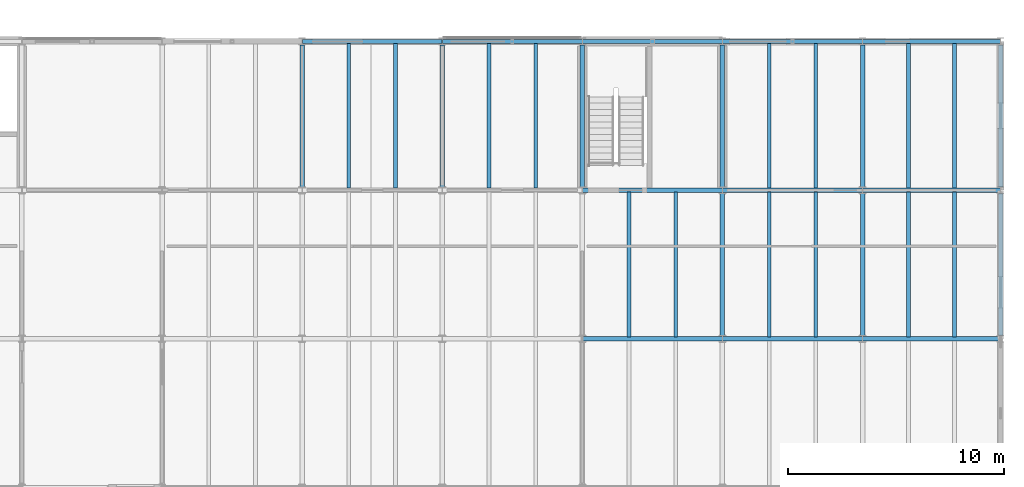
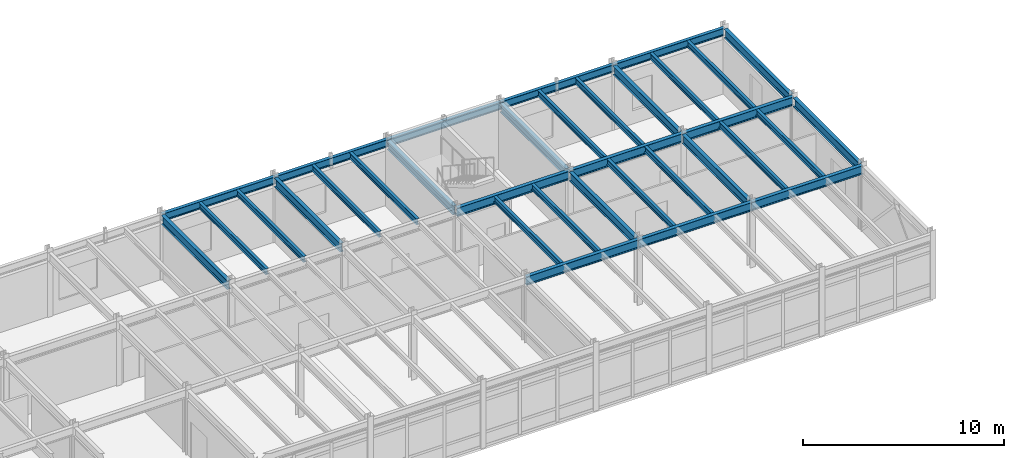
# One storey, part 86 of 144: 34 beams.
"""IFC4 building model written with IfcOpenShell, lengths in metres."""

from ifc_helpers import new_model, si_unit, direction, frame, origin, origin_2d, place, context, subcontext, project, spatial, i_section, extrude, material, material_profile, profile_set, type_object, element, save


model = new_model("IFC4")

# Units and contexts
model_context = context("Model", 3, precision=1e-05, world=origin(), true_north=direction((0.0, 1.0)))
body_context = subcontext(model_context, "Body", "Model", "MODEL_VIEW")
ifc_project = project(units=[si_unit("LENGTHUNIT", "METRE"), si_unit("AREAUNIT", "SQUARE_METRE"), si_unit("VOLUMEUNIT", "CUBIC_METRE"), si_unit("PLANEANGLEUNIT", "RADIAN"), si_unit("MASSUNIT", "GRAM", prefix="KILO")], contexts=[model_context])

# Site, building, storey
site_placement = place(None, origin())
site = spatial("IfcSite", under=ifc_project, at=site_placement, CompositionType="ELEMENT")
building_placement = place(site_placement, origin())
building = spatial("IfcBuilding", under=site, at=building_placement, Name="Trelmorton Wharf Fire Station", CompositionType="ELEMENT")
storey_placement = place(building_placement, frame((0.0, 0.0, 5.39990234375)))
storey = spatial("IfcBuildingStorey", under=building, at=storey_placement, Name="L01", CompositionType="ELEMENT", Elevation=5.39990234375)

# Beams
ifc_material = material(Name="Steel Grade 350", Category="steel")
ifc_material_profile_1 = material_profile(ifc_material, i_section(OverallWidth=0.208984375, OverallDepth=0.528076171875, WebThickness=0.009521484375, FlangeThickness=0.01318359375, FilletRadius=0.013916015625, at=origin_2d()), Name="530UB82.0")
ifc_profile_set_1 = profile_set([ifc_material_profile_1], Name="Steel Grade 350")
beam_type_1 = type_object("IfcBeamType", Name="BM_530UB82", PredefinedType="BEAM", material=ifc_profile_set_1)
for number, where, z_axis, x_axis, name in (
    (1, (143.0048828125, 67.199951171875, 3.666015625), (1.0, 0.0, 0.0), (0.0, 1.0, 0.0), "BM-L01-0522"),
    (2, (149.5048828125, 67.199951171875, 3.666015625), (1.0, 0.0, 0.0), (0.0, 1.0, 0.0), "BM-L01-0523"),
):
    element("IfcBeam", number, at=place(storey_placement, frame(where, z_axis=z_axis, x_axis=x_axis)), inside=storey, type_object=beam_type_1, Name=name, PredefinedType="BEAM", context=body_context, shape_type="SweptSolid", body=[
        extrude(i_section(OverallWidth=0.208984375, OverallDepth=0.528076171875, WebThickness=0.009521484375, FlangeThickness=0.01318359375, FilletRadius=0.013916015625, at=origin_2d()), origin(), (0.0, 0.0, 1.0), 6.490234375),
    ])
beam_1_placement = place(storey_placement, frame((156.0048828125, 67.199951171875, 3.666015625), z_axis=(1.0, 0.0, 0.0), x_axis=(0.0, 1.0, 0.0)))
element("IfcBeam", 3, at=beam_1_placement, inside=storey, type_object=beam_type_1, Name="BM-L01-0524", PredefinedType="BEAM", context=body_context, shape_type="SweptSolid", body=[
    extrude(i_section(OverallWidth=0.208984375, OverallDepth=0.528076171875, WebThickness=0.009521484375, FlangeThickness=0.01318359375, FilletRadius=0.013916015625, at=origin_2d()), origin(), (0.0, 0.0, 1.0), 6.39013671875),
])
for number, where, z_axis, x_axis, name in (
    (4, (143.0048828125, 74.10009765625, 3.666015625), (1.0, 0.0, 0.0), (0.0, 1.0, 0.0), "BM-L01-0541"),
    (5, (149.5048828125, 74.10009765625, 3.666015625), (1.0, 0.0, 0.0), (0.0, 1.0, 0.0), "BM-L01-0542"),
):
    element("IfcBeam", number, at=place(storey_placement, frame(where, z_axis=z_axis, x_axis=x_axis)), inside=storey, type_object=beam_type_1, Name=name, PredefinedType="BEAM", context=body_context, shape_type="SweptSolid", body=[
        extrude(i_section(OverallWidth=0.208984375, OverallDepth=0.528076171875, WebThickness=0.009521484375, FlangeThickness=0.01318359375, FilletRadius=0.013916015625, at=origin_2d()), origin(), (0.0, 0.0, 1.0), 6.490234375),
    ])
beam_2_placement = place(storey_placement, frame((156.0048828125, 74.10009765625, 3.666015625), z_axis=(1.0, 0.0, 0.0), x_axis=(0.0, 1.0, 0.0)))
element("IfcBeam", 6, at=beam_2_placement, inside=storey, type_object=beam_type_1, Name="BM-L01-0543", PredefinedType="BEAM", context=body_context, shape_type="SweptSolid", body=[
    extrude(i_section(OverallWidth=0.208984375, OverallDepth=0.528076171875, WebThickness=0.009521484375, FlangeThickness=0.01318359375, FilletRadius=0.013916015625, at=origin_2d()), origin(), (0.0, 0.0, 1.0), 6.39013671875),
])
ifc_material_profile_2 = material_profile(ifc_material, i_section(OverallWidth=0.208984375, OverallDepth=0.532958984375, WebThickness=0.01025390625, FlangeThickness=0.015625, FilletRadius=0.013916015625, at=origin_2d()), Name="530UB92.4")
ifc_profile_set_2 = profile_set([ifc_material_profile_2], Name="Steel Grade 350")
beam_type_2 = type_object("IfcBeamType", Name="BM_530UB92", PredefinedType="BEAM", material=ifc_profile_set_2)
for number, where, z_axis, x_axis, name in (
    (7, (130.0, 74.256591796875, 3.66357421875), (0.0, 1.0, 0.0), (-1.0, 0.0, 0.0), "BM-L01-0651"),
    (8, (136.5, 74.256591796875, 3.66357421875), (0.0, 1.0, 0.0), (-1.0, 0.0, 0.0), "BM-L01-0657"),
    (9, (143.0, 74.256591796875, 3.66357421875), (0.0, 1.0, 0.0), (-1.0, 0.0, 0.0), "BM-L01-0663"),
):
    element("IfcBeam", number, at=place(storey_placement, frame(where, z_axis=z_axis, x_axis=x_axis)), inside=storey, type_object=beam_type_2, Name=name, PredefinedType="BEAM", context=body_context, shape_type="SweptSolid", body=[
        extrude(i_section(OverallWidth=0.208984375, OverallDepth=0.532958984375, WebThickness=0.01025390625, FlangeThickness=0.015625, FilletRadius=0.013916015625, at=origin_2d()), origin(), (0.0, 0.0, 1.0), 6.5869140625),
    ])
beam_3_placement = place(storey_placement, frame((149.5, 67.3564453125, 3.66357421875), z_axis=(0.0, 1.0, 0.0), x_axis=(-1.0, 0.0, 0.0)))
element("IfcBeam", 10, at=beam_3_placement, inside=storey, type_object=beam_type_2, Name="BM-L01-0668", PredefinedType="BEAM", context=body_context, shape_type="SweptSolid", body=[
    extrude(i_section(OverallWidth=0.208984375, OverallDepth=0.532958984375, WebThickness=0.01025390625, FlangeThickness=0.015625, FilletRadius=0.013916015625, at=origin_2d()), origin(), (0.0, 0.0, 1.0), 6.587158203125),
])
beam_4_placement = place(storey_placement, frame((149.5, 74.256591796875, 3.66357421875), z_axis=(0.0, 1.0, 0.0), x_axis=(-1.0, 0.0, 0.0)))
element("IfcBeam", 11, at=beam_4_placement, inside=storey, type_object=beam_type_2, Name="BM-L01-0669", PredefinedType="BEAM", context=body_context, shape_type="SweptSolid", body=[
    extrude(i_section(OverallWidth=0.208984375, OverallDepth=0.532958984375, WebThickness=0.01025390625, FlangeThickness=0.015625, FilletRadius=0.013916015625, at=origin_2d()), origin(), (0.0, 0.0, 1.0), 6.5869140625),
])
beam_5_placement = place(storey_placement, frame((156.0, 67.3564453125, 3.66357421875), z_axis=(0.0, 1.0, 0.0), x_axis=(-1.0, 0.0, 0.0)))
element("IfcBeam", 12, at=beam_5_placement, inside=storey, type_object=beam_type_2, Name="BM-L01-0674", PredefinedType="BEAM", context=body_context, shape_type="SweptSolid", body=[
    extrude(i_section(OverallWidth=0.208984375, OverallDepth=0.532958984375, WebThickness=0.01025390625, FlangeThickness=0.015625, FilletRadius=0.013916015625, at=origin_2d()), origin(), (0.0, 0.0, 1.0), 6.587158203125),
])
beam_6_placement = place(storey_placement, frame((156.0, 74.256591796875, 3.66357421875), z_axis=(0.0, 1.0, 0.0), x_axis=(-1.0, 0.0, 0.0)))
element("IfcBeam", 13, at=beam_6_placement, inside=storey, type_object=beam_type_2, Name="BM-L01-0675", PredefinedType="BEAM", context=body_context, shape_type="SweptSolid", body=[
    extrude(i_section(OverallWidth=0.208984375, OverallDepth=0.532958984375, WebThickness=0.01025390625, FlangeThickness=0.015625, FilletRadius=0.013916015625, at=origin_2d()), origin(), (0.0, 0.0, 1.0), 6.5869140625),
])
beam_7_placement = place(storey_placement, frame((162.39990234375, 67.3564453125, 3.66357421875), z_axis=(0.0, 1.0, 0.0), x_axis=(-1.0, 0.0, 0.0)))
element("IfcBeam", 14, at=beam_7_placement, inside=storey, type_object=beam_type_2, Name="BM-L01-0680", PredefinedType="BEAM", context=body_context, shape_type="SweptSolid", body=[
    extrude(i_section(OverallWidth=0.208984375, OverallDepth=0.532958984375, WebThickness=0.01025390625, FlangeThickness=0.015625, FilletRadius=0.013916015625, at=origin_2d()), origin(), (0.0, 0.0, 1.0), 6.587158203125),
])
beam_8_placement = place(storey_placement, frame((162.39990234375, 74.256591796875, 3.66357421875), z_axis=(0.0, 1.0, 0.0), x_axis=(-1.0, 0.0, 0.0)))
element("IfcBeam", 15, at=beam_8_placement, inside=storey, type_object=beam_type_2, Name="BM-L01-0681", PredefinedType="BEAM", context=body_context, shape_type="SweptSolid", body=[
    extrude(i_section(OverallWidth=0.208984375, OverallDepth=0.532958984375, WebThickness=0.01025390625, FlangeThickness=0.015625, FilletRadius=0.013916015625, at=origin_2d()), origin(), (0.0, 0.0, 1.0), 6.5869140625),
])
ifc_material_profile_3 = material_profile(ifc_material, i_section(OverallWidth=0.172119140625, OverallDepth=0.35888671875, WebThickness=0.008056640625, FlangeThickness=0.012939453125, FilletRadius=0.011474609375, at=origin_2d()), Name="360UB56.7")
ifc_profile_set_3 = profile_set([ifc_material_profile_3], Name="Steel Grade 350")
beam_type_3 = type_object("IfcBeamType", Name="JS_360UB57", PredefinedType="JOIST", material=ifc_profile_set_3)
for number, where, z_axis, x_axis, name in (
    (16, (132.166748046875, 74.18994140625, 3.75048828125), (0.0, 1.0, 0.0), (-1.0, 0.0, 0.0), "JS-L01-0189"),
    (17, (134.333251953125, 74.18994140625, 3.75048828125), (0.0, 1.0, 0.0), (-1.0, 0.0, 0.0), "JS-L01-0190"),
    (18, (138.666748046875, 74.18994140625, 3.75048828125), (0.0, 1.0, 0.0), (-1.0, 0.0, 0.0), "JS-L01-0199"),
    (19, (140.833251953125, 74.18994140625, 3.75048828125), (0.0, 1.0, 0.0), (-1.0, 0.0, 0.0), "JS-L01-0200"),
    (20, (145.166748046875, 67.2900390625, 3.75048828125), (0.0, 1.0, 0.0), (-1.0, 0.0, 0.0), "JS-L01-0205"),
    (21, (147.333251953125, 67.2900390625, 3.75048828125), (0.0, 1.0, 0.0), (-1.0, 0.0, 0.0), "JS-L01-0206"),
    (22, (151.666748046875, 67.2900390625, 3.75048828125), (0.0, 1.0, 0.0), (-1.0, 0.0, 0.0), "JS-L01-0213"),
    (23, (153.833251953125, 67.2900390625, 3.75048828125), (0.0, 1.0, 0.0), (-1.0, 0.0, 0.0), "JS-L01-0214"),
    (24, (151.666748046875, 74.18994140625, 3.75048828125), (0.0, 1.0, 0.0), (-1.0, 0.0, 0.0), "JS-L01-0215"),
    (25, (153.833251953125, 74.18994140625, 3.75048828125), (0.0, 1.0, 0.0), (-1.0, 0.0, 0.0), "JS-L01-0216"),
    (26, (158.13330078125, 67.2900390625, 3.75048828125), (0.0, 1.0, 0.0), (-1.0, 0.0, 0.0), "JS-L01-0221"),
    (27, (160.2666015625, 67.2900390625, 3.75048828125), (0.0, 1.0, 0.0), (-1.0, 0.0, 0.0), "JS-L01-0222"),
    (28, (158.13330078125, 74.18994140625, 3.75048828125), (0.0, 1.0, 0.0), (-1.0, 0.0, 0.0), "JS-L01-0223"),
    (29, (160.2666015625, 74.18994140625, 3.75048828125), (0.0, 1.0, 0.0), (-1.0, 0.0, 0.0), "JS-L01-0224"),
):
    element("IfcBeam", number, at=place(storey_placement, frame(where, z_axis=z_axis, x_axis=x_axis)), inside=storey, type_object=beam_type_3, Name=name, PredefinedType="JOIST", context=body_context, shape_type="SweptSolid", body=[
        extrude(i_section(OverallWidth=0.172119140625, OverallDepth=0.35888671875, WebThickness=0.008056640625, FlangeThickness=0.012939453125, FilletRadius=0.011474609375, at=origin_2d()), origin(), (0.0, 0.0, 1.0), 6.719970703125),
    ])
ifc_material_profile_4 = material_profile(ifc_material, i_section(OverallWidth=0.18994140625, OverallDepth=0.45703125, WebThickness=0.009033203125, FlangeThickness=0.014404296875, FilletRadius=0.011474609375, at=origin_2d()), Name="460UB74.6")
ifc_profile_set_4 = profile_set([ifc_material_profile_4], Name="Steel Grade 350")
beam_type_4 = type_object("IfcBeamType", Name="SP_460UB75", PredefinedType="SPANDREL", material=ifc_profile_set_4)
for number, where, z_axis, x_axis, name in (
    (30, (130.0048828125, 81.0, 3.70166015625), (1.0, 0.0, 0.0), (0.0, 1.0, 0.0), "BM-L01-0558"),
    (31, (136.5048828125, 81.0, 3.70166015625), (1.0, 0.0, 0.0), (0.0, 1.0, 0.0), "BM-L01-0559"),
    (32, (143.0048828125, 81.0, 3.70166015625), (1.0, 0.0, 0.0), (0.0, 1.0, 0.0), "BM-L01-0560"),
    (33, (149.5048828125, 81.0, 3.70166015625), (1.0, 0.0, 0.0), (0.0, 1.0, 0.0), "BM-L01-0561"),
):
    element("IfcBeam", number, at=place(storey_placement, frame(where, z_axis=z_axis, x_axis=x_axis)), inside=storey, type_object=beam_type_4, Name=name, PredefinedType="SPANDREL", context=body_context, shape_type="SweptSolid", body=[
        extrude(i_section(OverallWidth=0.18994140625, OverallDepth=0.45703125, WebThickness=0.009033203125, FlangeThickness=0.014404296875, FilletRadius=0.011474609375, at=origin_2d()), origin(), (0.0, 0.0, 1.0), 6.490234375),
    ])
beam_9_placement = place(storey_placement, frame((156.0048828125, 81.0, 3.70166015625), z_axis=(1.0, 0.0, 0.0), x_axis=(0.0, 1.0, 0.0)))
element("IfcBeam", 34, at=beam_9_placement, inside=storey, type_object=beam_type_4, Name="BM-L01-0562", PredefinedType="SPANDREL", context=body_context, shape_type="SweptSolid", body=[
    extrude(i_section(OverallWidth=0.18994140625, OverallDepth=0.45703125, WebThickness=0.009033203125, FlangeThickness=0.014404296875, FilletRadius=0.011474609375, at=origin_2d()), origin(), (0.0, 0.0, 1.0), 6.39013671875),
])

save(model, "model.ifc")
